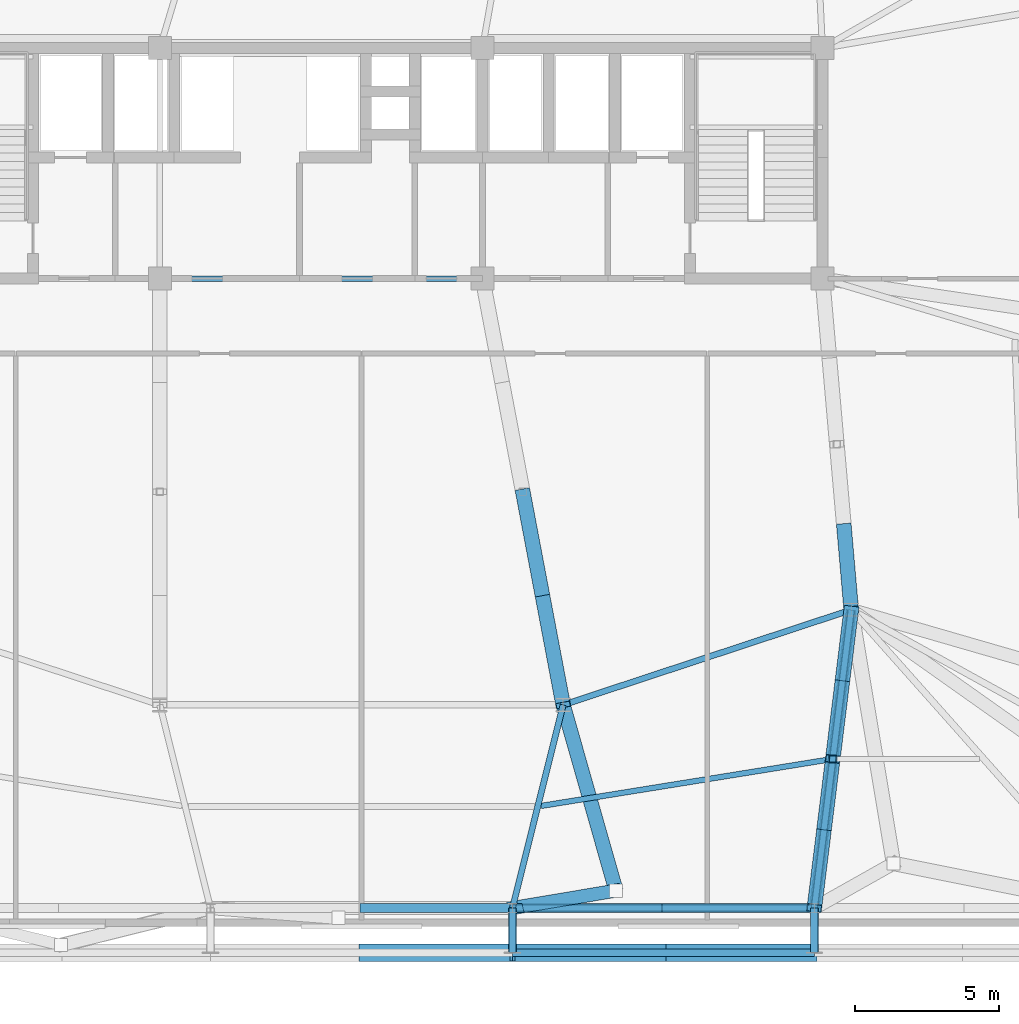
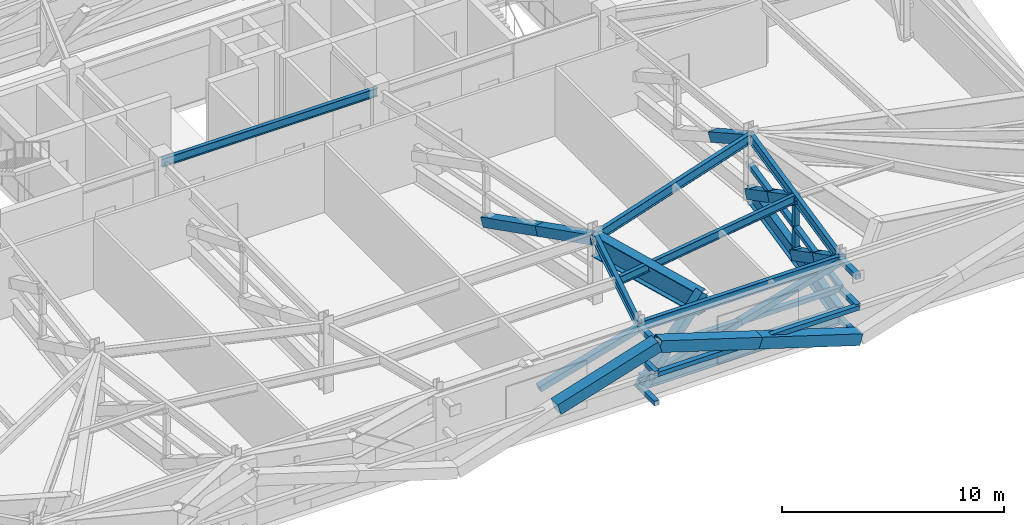
# One storey, part 8 of 24: 27 members, 7 beams.
"""IFC4 building model written with IfcOpenShell, lengths in metres."""

from ifc_helpers import new_model, si_unit, direction, frame, origin, origin_2d, place, context, subcontext, project, spatial, hollow_rectangle, i_section, extrude, source, transform, mapped, material, material_profile, profile_set, type_object, element, save


model = new_model("IFC4")

# Units and contexts
model_context = context("Model", 3, precision=1e-05, world=origin(), true_north=direction((0.0, 1.0)))
body_context = subcontext(model_context, "Body", "Model", "MODEL_VIEW")
ifc_project = project(units=[si_unit("LENGTHUNIT", "METRE"), si_unit("AREAUNIT", "SQUARE_METRE"), si_unit("VOLUMEUNIT", "CUBIC_METRE"), si_unit("PLANEANGLEUNIT", "RADIAN"), si_unit("MASSUNIT", "GRAM", prefix="KILO")], contexts=[model_context])

# Site, building, storey
site_placement = place(None, origin())
site = spatial("IfcSite", under=ifc_project, at=site_placement, CompositionType="ELEMENT")
building_placement = place(site_placement, origin())
building = spatial("IfcBuilding", under=site, at=building_placement, Name="Taldren Reach Tower", CompositionType="ELEMENT")
storey_placement = place(building_placement, frame((0.0, 0.0, 60.89990234375)))
storey = spatial("IfcBuildingStorey", under=building, at=storey_placement, Name="L18", CompositionType="ELEMENT", Elevation=60.89990234375)

# Beams
ifc_material_1 = material(Name="Steel Gr 350 (350PLUS)", Category="steel")
ifc_material_profile_1 = material_profile(ifc_material_1, i_section(OverallWidth=0.19091796875, OverallDepth=0.4599609375, WebThickness=0.010009765625, FlangeThickness=0.01611328125, at=origin_2d()), Name="460UB82.1")
ifc_profile_set_1 = profile_set([ifc_material_profile_1], Name="Steel Gr 350 (350PLUS)")
beam_type_1 = type_object("IfcBeamType", Name="BM-UB460A", PredefinedType="BEAM", material=ifc_profile_set_1)
shared_shape_1 = source(origin(), body_context, "Body", "SweptSolid", [
    extrude(i_section(OverallWidth=0.19091796875, OverallDepth=0.4599609375, WebThickness=0.010009765625, FlangeThickness=0.01611328125, at=origin_2d()), origin(), (0.0, 0.0, 1.0), 11.199951171875),
])
beam_1_placement = place(storey_placement, frame((28.0, 24.0, 3.550048828125), z_axis=(1.0, 0.0, 0.0), x_axis=(0.0, 1.0, 0.0)))
element("IfcBeam", 1, at=beam_1_placement, inside=storey, type_object=beam_type_1, Name="Core-spine girder L18-SP02", PredefinedType="BEAM", context=body_context, shape_type="MappedRepresentation", body=[
    mapped(shared_shape_1, transform((0.0, 0.0, 0.0), scale=1.0)),
])
ifc_material_profile_2 = material_profile(ifc_material_1, i_section(OverallWidth=0.208984375, OverallDepth=0.532958984375, WebThickness=0.01025390625, FlangeThickness=0.015625, at=origin_2d()), Name="530UB92.4")
ifc_profile_set_2 = profile_set([ifc_material_profile_2], Name="Steel Gr 350 (350PLUS)")
beam_type_2 = type_object("IfcBeamType", Name="BM-UB530A", PredefinedType="BEAM", material=ifc_profile_set_2)
shared_shape_2 = source(origin(), body_context, "Body", "SweptSolid", [
    extrude(i_section(OverallWidth=0.208984375, OverallDepth=0.532958984375, WebThickness=0.01025390625, FlangeThickness=0.015625, at=origin_2d()), origin(), (0.0, 0.0, 1.0), 10.530517578125),
])
beam_2_placement = place(storey_placement, frame((42.0, 9.199951171875, 3.513671875), z_axis=(0.949627269203, 0.313381635689, 0.0), x_axis=(-0.313381635689, 0.949627269203, 0.0)))
element("IfcBeam", 2, at=beam_2_placement, inside=storey, type_object=beam_type_2, Name="Core-spine girder L18-SP12", PredefinedType="BEAM", context=body_context, shape_type="MappedRepresentation", body=[
    mapped(shared_shape_2, transform((0.0, 0.0, 0.0), scale=1.0)),
])
ifc_material_profile_3 = material_profile(ifc_material_1, i_section(OverallWidth=0.208984375, OverallDepth=0.528076171875, WebThickness=0.009521484375, FlangeThickness=0.01318359375, at=origin_2d()), Name="530UB82.0")
ifc_profile_set_3 = profile_set([ifc_material_profile_3], Name="Steel Gr 350 (350PLUS)")
beam_type_3 = type_object("IfcBeamType", Name="SP-UB530B", PredefinedType="SPANDREL", material=ifc_profile_set_3)
shared_shape_3 = source(origin(), body_context, "Body", "SweptSolid", [
    extrude(i_section(OverallWidth=0.208984375, OverallDepth=0.528076171875, WebThickness=0.009521484375, FlangeThickness=0.01318359375, at=origin_2d()), origin(), (0.0, 0.0, 1.0), 10.47998046875),
])
beam_3_placement = place(storey_placement, frame((40.239990234375, 2.14990234375, 3.51611328125), z_axis=(1.0, 0.0, 0.0), x_axis=(0.0, 1.0, 0.0)))
element("IfcBeam", 3, at=beam_3_placement, inside=storey, type_object=beam_type_3, Name="Perimeter spandrel B1 S4-S5 L18", PredefinedType="SPANDREL", context=body_context, shape_type="MappedRepresentation", body=[
    mapped(shared_shape_3, transform((0.0, 0.0, 0.0), scale=1.0)),
])
shared_shape_4 = source(origin(), body_context, "Body", "SweptSolid", [
    extrude(i_section(OverallWidth=0.208984375, OverallDepth=0.532958984375, WebThickness=0.01025390625, FlangeThickness=0.015625, at=origin_2d()), origin(), (0.0, 0.0, 1.0), 10.428955078125),
])
beam_4_placement = place(storey_placement, frame((52.0, 12.5, 3.513671875), z_axis=(-0.122738080664, -0.992439098159, 0.0), x_axis=(0.992439098159, -0.122738080664, 0.0)))
element("IfcBeam", 4, at=beam_4_placement, inside=storey, type_object=beam_type_2, Name="Primary floor girder B1-S5 L18", PredefinedType="BEAM", context=body_context, shape_type="MappedRepresentation", body=[
    mapped(shared_shape_4, transform((0.0, 0.0, 0.0), scale=1.0)),
])
shared_shape_5 = source(origin(), body_context, "Body", "SweptSolid", [
    extrude(i_section(OverallWidth=0.208984375, OverallDepth=0.532958984375, WebThickness=0.01025390625, FlangeThickness=0.015625, at=origin_2d()), origin(), (0.0, 0.0, 1.0), 7.266357421875),
])
beam_5_placement = place(storey_placement, frame((42.0, 9.199951171875, 3.513671875), z_axis=(-0.24221148493, -0.970223477642, 0.0), x_axis=(0.970223477642, -0.24221148493, 0.0)))
element("IfcBeam", 5, at=beam_5_placement, inside=storey, type_object=beam_type_2, Name="Primary floor girder B1-S4 L18", PredefinedType="BEAM", context=body_context, shape_type="MappedRepresentation", body=[
    mapped(shared_shape_5, transform((0.0, 0.0, 0.0), scale=1.0)),
])
shared_shape_6 = source(origin(), body_context, "Body", "SweptSolid", [
    extrude(i_section(OverallWidth=0.19091796875, OverallDepth=0.4599609375, WebThickness=0.010009765625, FlangeThickness=0.01611328125, at=origin_2d()), origin(), (0.0, 0.0, 1.0), 10.1494140625),
])
beam_6_placement = place(storey_placement, frame((41.232177734375, 5.693115234375, 3.550048828125), z_axis=(0.987266967452, 0.159072106224, 0.0), x_axis=(-0.159072106224, 0.987266967452, 0.0)))
element("IfcBeam", 6, at=beam_6_placement, inside=storey, type_object=beam_type_1, Name="Secondary floor beam B1 J4 L18", PredefinedType="BEAM", context=body_context, shape_type="MappedRepresentation", body=[
    mapped(shared_shape_6, transform((0.0, 0.0, 0.0), scale=1.0)),
])

# Members
ifc_material_2 = material(Name="Steel Gr 450 (C450L0)", Category="steel")
ifc_material_profile_4 = material_profile(ifc_material_2, hollow_rectangle(XDim=0.27490234375, YDim=0.27490234375, WallThickness=0.00927734375, at=origin_2d()), Name="275x275x9.3SHS")
ifc_profile_set_4 = profile_set([ifc_material_profile_4], Name="Steel Gr 450 (C450L0)")
member_type_1 = type_object("IfcMemberType", Name="MB-TIE273", PredefinedType="STRUT", material=ifc_profile_set_4)
shared_shape_7 = source(origin(), body_context, "Body", "SweptSolid", [
    extrude(hollow_rectangle(XDim=0.27490234375, YDim=0.27490234375, WallThickness=0.00927734375, at=origin_2d()), origin(), (0.0, 0.0, 1.0), 1.5498046875),
])
for number, where, z_axis, x_axis, name in (
    (7, (40.239990234375, 2.14990234375, 3.5), (0.0, -1.0, 0.0), (1.0, 0.0, 0.0), "Exoskeleton diaphragm tie strut B1-S4 L18"),
    (8, (50.719970703125, 2.14990234375, 3.5), (0.0, -1.0, 0.0), (1.0, 0.0, 0.0), "Exoskeleton diaphragm tie strut B1-S5 L18"),
):
    element("IfcMember", number, at=place(storey_placement, frame(where, z_axis=z_axis, x_axis=x_axis)), inside=storey, type_object=member_type_1, Name=name, PredefinedType="STRUT", context=body_context, shape_type="MappedRepresentation", body=[
        mapped(shared_shape_7, transform((0.0, 0.0, 0.0), scale=1.0)),
    ])
ifc_material_3 = material(Name="Steel Gr 350 (C350L0)", Category="steel")
ifc_material_profile_5 = material_profile(ifc_material_3, hollow_rectangle(XDim=0.25, YDim=0.25, WallThickness=0.010009765625, at=origin_2d()), Name="250x250x10.0SHS")
ifc_profile_set_5 = profile_set([ifc_material_profile_5], Name="Steel Gr 350 (C350L0)")
member_type_2 = type_object("IfcMemberType", Name="MB-POST250", PredefinedType="POST", material=ifc_profile_set_5)
shared_shape_8 = source(origin(), body_context, "Body", "SweptSolid", [
    extrude(hollow_rectangle(XDim=0.25, YDim=0.25, WallThickness=0.010009765625, at=origin_2d()), origin(), (0.0, 0.0, 1.0), 10.47998046875),
])
for number, where, z_axis, x_axis, name in (
    (9, (40.239990234375, 2.14990234375, 1.955078125), (1.0, 0.0, 0.0), (0.0, 1.0, 0.0), "Belt Truss Transfer Mid Chord S4 L18"),
    (10, (40.239990234375, 0.60009765625, 1.860107421875), (1.0, 0.0, 0.0), (0.0, 1.0, 0.0), "Exoskeleton mid-height ring chord B1-S4 L18"),
):
    element("IfcMember", number, at=place(storey_placement, frame(where, z_axis=z_axis, x_axis=x_axis)), inside=storey, type_object=member_type_2, Name=name, PredefinedType="POST", context=body_context, shape_type="MappedRepresentation", body=[
        mapped(shared_shape_8, transform((0.0, 0.0, 0.0), scale=1.0)),
    ])
shared_shape_9 = source(origin(), body_context, "Body", "SweptSolid", [
    extrude(hollow_rectangle(XDim=0.25, YDim=0.25, WallThickness=0.010009765625, at=origin_2d()), origin(), (0.0, 0.0, 1.0), 1.5498046875),
])
for number, where, z_axis, x_axis, name in (
    (11, (40.239990234375, 2.14990234375, 0.22021484375), (0.0, -1.0, 0.0), (1.0, 0.0, 0.0), "Exoskeleton base diaphragm tie strut B1-S4 L18"),
    (12, (50.719970703125, 2.14990234375, 0.22021484375), (0.0, -1.0, 0.0), (1.0, 0.0, 0.0), "Exoskeleton base diaphragm tie strut B1-S5 L18"),
    (13, (40.239990234375, 2.14990234375, 1.860107421875), (0.0, -1.0, 0.0), (1.0, 0.0, 0.0), "Exoskeleton mid-tier diaphragm tie B1-S4 L18"),
    (14, (50.719970703125, 2.14990234375, 1.860107421875), (0.0, -1.0, 0.0), (1.0, 0.0, 0.0), "Exoskeleton mid-tier diaphragm tie B1-S5 L18"),
):
    element("IfcMember", number, at=place(storey_placement, frame(where, z_axis=z_axis, x_axis=x_axis)), inside=storey, type_object=member_type_2, Name=name, PredefinedType="POST", context=body_context, shape_type="MappedRepresentation", body=[
        mapped(shared_shape_9, transform((0.0, 0.0, 0.0), scale=1.0)),
    ])
ifc_material_profile_6 = material_profile(ifc_material_2, hollow_rectangle(XDim=0.4599609375, YDim=0.4599609375, WallThickness=0.01611328125, at=origin_2d()), Name="460x460x16.0SHS")
ifc_profile_set_6 = profile_set([ifc_material_profile_6], Name="Steel Gr 450 (C450L0)")
member_type_3 = type_object("IfcMemberType", Name="MB-EXO457", PredefinedType="BRACE", material=ifc_profile_set_6)
shared_shape_10 = source(origin(), body_context, "Body", "SweptSolid", [
    extrude(hollow_rectangle(XDim=0.4599609375, YDim=0.4599609375, WallThickness=0.01611328125, at=origin_2d()), origin(), (0.0, 0.0, 1.0), 5.2373046875),
])
member_1_placement = place(storey_placement, frame((40.239990234375, 2.14990234375, 0.02001953125), z_axis=(0.686503671518, 0.115326277133, 0.71792239051), x_axis=(-0.16566936035, 0.986181354032, 0.0)))
element("IfcMember", 15, at=member_1_placement, inside=storey, type_object=member_type_3, Name="Outrigger Belt Truss Transfer Strut TS-B2-S4 L18", PredefinedType="BRACE", context=body_context, shape_type="MappedRepresentation", body=[
    mapped(shared_shape_10, transform((0.0, 0.0, 0.0), scale=1.0)),
])

# Beam
ifc_material_profile_7 = material_profile(ifc_material_1, i_section(OverallWidth=0.5, OverallDepth=1.199951171875, WebThickness=0.01611328125, FlangeThickness=0.0400390625, at=origin_2d()), Name="1200WB455")
ifc_profile_set_7 = profile_set([ifc_material_profile_7], Name="Steel Gr 350 (350PLUS)")
beam_type_4 = type_object("IfcBeamType", Name="BM-WB1200", PredefinedType="BEAM", material=ifc_profile_set_7)
shared_shape_11 = source(origin(), body_context, "Body", "SweptSolid", [
    extrude(i_section(OverallWidth=0.5, OverallDepth=1.199951171875, WebThickness=0.01611328125, FlangeThickness=0.0400390625, at=origin_2d()), origin(), (0.0, 0.0, 1.0), 6.7021484375),
])
beam_7_placement = place(storey_placement, frame((42.0, 9.199951171875, 3.18017578125), z_axis=(0.273855026091, -0.961770983491, 0.0), x_axis=(0.961770983491, 0.273855026091, 0.0)))
element("IfcBeam", 16, at=beam_7_placement, inside=storey, type_object=beam_type_4, Name="Belt Truss Transfer Girder TG-B2-S4A on L18", PredefinedType="BEAM", context=body_context, shape_type="MappedRepresentation", body=[
    mapped(shared_shape_11, transform((0.0, 0.0, 0.0), scale=1.0)),
])

# Members
shared_shape_12 = source(origin(), body_context, "Body", "SweptSolid", [
    extrude(hollow_rectangle(XDim=0.25, YDim=0.25, WallThickness=0.010009765625, at=origin_2d()), origin(), (0.0, 0.0, 1.0), 1.5048828125),
])
member_2_placement = place(storey_placement, frame((51.360107421875, 7.324951171875, 0.4501953125), z_axis=(0.0, 0.0, 1.0), x_axis=(1.0, 0.0, 0.0)))
element("IfcMember", 17, at=member_2_placement, inside=storey, type_object=member_type_2, Name="Outrigger Transfer Truss Vertical Post OT-E2 L18", PredefinedType="POST", context=body_context, shape_type="MappedRepresentation", body=[
    mapped(shared_shape_12, transform((0.0, 0.0, 0.0), scale=1.0)),
])
shared_shape_13 = source(origin(), body_context, "Body", "SweptSolid", [
    extrude(hollow_rectangle(XDim=0.25, YDim=0.25, WallThickness=0.010009765625, at=origin_2d()), origin(), (0.0, 0.0, 1.0), 1.505126953125),
])
member_3_placement = place(storey_placement, frame((51.360107421875, 7.324951171875, 1.955078125), z_axis=(0.0, 0.0, 1.0), x_axis=(1.0, 0.0, 0.0)))
element("IfcMember", 18, at=member_3_placement, inside=storey, type_object=member_type_2, Name="Outrigger Transfer Truss Vertical Post OT-E2 L18", PredefinedType="POST", context=body_context, shape_type="MappedRepresentation", body=[
    mapped(shared_shape_13, transform((0.0, 0.0, 0.0), scale=1.0)),
])
ifc_material_profile_8 = material_profile(ifc_material_2, hollow_rectangle(XDim=0.510009765625, YDim=0.510009765625, WallThickness=0.02001953125, at=origin_2d()), Name="510x510x20.0SHS")
ifc_profile_set_8 = profile_set([ifc_material_profile_8], Name="Steel Gr 450 (C450L0)")
member_type_4 = type_object("IfcMemberType", Name="MB-EXO508", PredefinedType="BRACE", material=ifc_profile_set_8)
shared_shape_14 = source(origin(), body_context, "Body", "SweptSolid", [
    extrude(hollow_rectangle(XDim=0.510009765625, YDim=0.510009765625, WallThickness=0.02001953125, at=origin_2d()), origin(), (0.0, 0.0, 1.0), 3.2548828125),
])
member_4_placement = place(storey_placement, frame((51.75, 15.375, 1.955078125), z_axis=(0.076810327051, -0.883318761082, 0.462437174089), x_axis=(0.996240588196, 0.086629616365, 0.0)))
element("IfcMember", 19, at=member_4_placement, inside=storey, type_object=member_type_4, Name="Outrigger Transfer Truss Diagonal OT-E1B L18", PredefinedType="BRACE", context=body_context, shape_type="MappedRepresentation", body=[
    mapped(shared_shape_14, transform((0.0, 0.0, 0.0), scale=1.0)),
])
ifc_material_profile_9 = material_profile(ifc_material_1, i_section(OverallWidth=0.35009765625, OverallDepth=0.916015625, WebThickness=0.013916015625, FlangeThickness=0.028076171875, at=origin_2d()), Name="900WB257")
ifc_profile_set_9 = profile_set([ifc_material_profile_9], Name="Steel Gr 350 (350PLUS)")
member_type_5 = type_object("IfcMemberType", Name="MB-CH900", PredefinedType="CHORD", material=ifc_profile_set_9)
shared_shape_15 = source(origin(), body_context, "Body", "SweptSolid", [
    extrude(i_section(OverallWidth=0.35009765625, OverallDepth=0.916015625, WebThickness=0.013916015625, FlangeThickness=0.028076171875, at=origin_2d()), origin(), (0.0, 0.0, 1.0), 10.428955078125),
])
member_5_placement = place(storey_placement, frame((52.0, 12.5, 0.4501953125), z_axis=(-0.122738080664, -0.992439098159, 0.0), x_axis=(0.992439098159, -0.122738080664, 0.0)))
element("IfcMember", 20, at=member_5_placement, inside=storey, type_object=member_type_5, Name="Outrigger Transfer Truss Bottom Chord OT-E2 L18", PredefinedType="CHORD", context=body_context, shape_type="MappedRepresentation", body=[
    mapped(shared_shape_15, transform((0.0, 0.0, 0.0), scale=1.0)),
])
shared_shape_16 = source(origin(), body_context, "Body", "SweptSolid", [
    extrude(hollow_rectangle(XDim=0.25, YDim=0.25, WallThickness=0.010009765625, at=origin_2d()), origin(), (0.0, 0.0, 1.0), 10.428955078125),
])
member_6_placement = place(storey_placement, frame((52.0, 12.5, 1.955078125), z_axis=(-0.122738080664, -0.992439098159, 0.0), x_axis=(0.992439098159, -0.122738080664, 0.0)))
element("IfcMember", 21, at=member_6_placement, inside=storey, type_object=member_type_2, Name="Outrigger Transfer Truss Mid Chord OT-E2 L18", PredefinedType="POST", context=body_context, shape_type="MappedRepresentation", body=[
    mapped(shared_shape_16, transform((0.0, 0.0, 0.0), scale=1.0)),
])
shared_shape_17 = source(origin(), body_context, "Body", "SweptSolid", [
    extrude(hollow_rectangle(XDim=0.510009765625, YDim=0.510009765625, WallThickness=0.02001953125, at=origin_2d()), origin(), (0.0, 0.0, 1.0), 3.01025390625),
])
for number, where, z_axis, x_axis, name in (
    (22, (52.0, 12.5, 0.4501953125), (-0.106325222442, -0.859523041522, 0.499915080953), (0.992435540703, -0.122766842221, 0.0), "Outrigger Transfer Truss Diagonal OT-E2A L18"),
    (23, (51.360107421875, 7.324951171875, 0.4501953125), (-0.106325222442, -0.859523041522, 0.499915080953), (0.992435540703, -0.122766842221, 0.0), "Outrigger Transfer Truss Diagonal OT-E2B L18"),
):
    element("IfcMember", number, at=place(storey_placement, frame(where, z_axis=z_axis, x_axis=x_axis)), inside=storey, type_object=member_type_4, Name=name, PredefinedType="BRACE", context=body_context, shape_type="MappedRepresentation", body=[
        mapped(shared_shape_17, transform((0.0, 0.0, 0.0), scale=1.0)),
    ])
shared_shape_18 = source(origin(), body_context, "Body", "SweptSolid", [
    extrude(hollow_rectangle(XDim=0.510009765625, YDim=0.510009765625, WallThickness=0.02001953125, at=origin_2d()), origin(), (0.0, 0.0, 1.0), 3.010498046875),
])
for number, where, z_axis, x_axis, name in (
    (24, (51.679931640625, 9.91259765625, 1.955078125), (-0.106233323021, -0.859516786793, 0.499945371316), (0.992448354991, -0.122663208325, 0.0), "Outrigger Transfer Truss Diagonal OT-E2A L18"),
    (25, (51.0400390625, 4.737548828125, 1.955078125), (-0.106313500935, -0.859509379412, 0.499941062749), (0.992436951876, -0.1227554339, 0.0), "Outrigger Transfer Truss Diagonal OT-E2B L18"),
):
    element("IfcMember", number, at=place(storey_placement, frame(where, z_axis=z_axis, x_axis=x_axis)), inside=storey, type_object=member_type_4, Name=name, PredefinedType="BRACE", context=body_context, shape_type="MappedRepresentation", body=[
        mapped(shared_shape_18, transform((0.0, 0.0, 0.0), scale=1.0)),
    ])
shared_shape_19 = source(origin(), body_context, "Body", "SweptSolid", [
    extrude(hollow_rectangle(XDim=0.510009765625, YDim=0.510009765625, WallThickness=0.02001953125, at=origin_2d()), origin(), (0.0, 0.0, 1.0), 4.05517578125),
])
member_7_placement = place(storey_placement, frame((41.300048828125, 12.89990234375, 1.955078125), z_axis=(0.172604098422, -0.912387552001, 0.371156005153), x_axis=(0.982572166, 0.185881517646, 0.0)))
element("IfcMember", 26, at=member_7_placement, inside=storey, type_object=member_type_4, Name="Outrigger Transfer Truss Diagonal OT-M2B L18", PredefinedType="BRACE", context=body_context, shape_type="MappedRepresentation", body=[
    mapped(shared_shape_19, transform((0.0, 0.0, 0.0), scale=1.0)),
])
shared_shape_20 = source(origin(), body_context, "Body", "SweptSolid", [
    extrude(hollow_rectangle(XDim=0.510009765625, YDim=0.510009765625, WallThickness=0.02001953125, at=origin_2d()), origin(), (0.0, 0.0, 1.0), 4.055419921875),
])
member_8_placement = place(storey_placement, frame((40.60009765625, 16.60009765625, 0.4501953125), z_axis=(0.172598473912, -0.912418022537, 0.371083708823), x_axis=(0.982574405956, 0.185869676819, 0.0)))
element("IfcMember", 27, at=member_8_placement, inside=storey, type_object=member_type_4, Name="Outrigger Transfer Truss Diagonal OT-M2B L18", PredefinedType="BRACE", context=body_context, shape_type="MappedRepresentation", body=[
    mapped(shared_shape_20, transform((0.0, 0.0, 0.0), scale=1.0)),
])
ifc_material_profile_10 = material_profile(ifc_material_1, i_section(OverallWidth=0.300048828125, OverallDepth=0.81591796875, WebThickness=0.011962890625, FlangeThickness=0.02392578125, at=origin_2d()), Name="800WB192")
ifc_profile_set_10 = profile_set([ifc_material_profile_10], Name="Steel Gr 350 (350PLUS)")
member_type_6 = type_object("IfcMemberType", Name="MB-CH800", PredefinedType="CHORD", material=ifc_profile_set_10)
shared_shape_21 = source(origin(), body_context, "Body", "SweptSolid", [
    extrude(i_section(OverallWidth=0.300048828125, OverallDepth=0.81591796875, WebThickness=0.011962890625, FlangeThickness=0.02392578125, at=origin_2d()), origin(), (0.0, 0.0, 1.0), 10.47998046875),
])
member_9_placement = place(storey_placement, frame((40.239990234375, 2.14990234375, 0.4501953125), z_axis=(1.0, 0.0, 0.0), x_axis=(0.0, 1.0, 0.0)))
element("IfcMember", 28, at=member_9_placement, inside=storey, type_object=member_type_6, Name="Belt Truss Transfer Bottom Chord S4 L18", PredefinedType="CHORD", context=body_context, shape_type="MappedRepresentation", body=[
    mapped(shared_shape_21, transform((0.0, 0.0, 0.0), scale=1.0)),
])
ifc_material_profile_11 = material_profile(ifc_material_2, hollow_rectangle(XDim=0.324951171875, YDim=0.324951171875, WallThickness=0.0126953125, at=origin_2d()), Name="325x325x12.7SHS")
ifc_profile_set_11 = profile_set([ifc_material_profile_11], Name="Steel Gr 450 (C450L0)")
member_type_7 = type_object("IfcMemberType", Name="MB-BR324", PredefinedType="BRACE", material=ifc_profile_set_11)
shared_shape_22 = source(origin(), body_context, "Body", "SweptSolid", [
    extrude(hollow_rectangle(XDim=0.324951171875, YDim=0.324951171875, WallThickness=0.0126953125, at=origin_2d()), origin(), (0.0, 0.0, 1.0), 5.451904296875),
])
for number, where, z_axis, x_axis, name in (
    (29, (35.0, 2.14990234375, 1.955078125), (0.961136017712, 0.0, 0.27607527136), (0.0, 1.0, 0.0), "Belt Truss Transfer Diagonal S3 L18"),
    (30, (40.239990234375, 2.14990234375, 0.4501953125), (0.96114789944, 0.0, 0.27603390263), (0.0, 1.0, 0.0), "Belt Truss Transfer Diagonal S4 L18"),
    (31, (45.47998046875, 2.14990234375, 1.955078125), (0.961136017712, 0.0, 0.27607527136), (0.0, 1.0, 0.0), "Belt Truss Transfer Diagonal S4 L18"),
):
    element("IfcMember", number, at=place(storey_placement, frame(where, z_axis=z_axis, x_axis=x_axis)), inside=storey, type_object=member_type_7, Name=name, PredefinedType="BRACE", context=body_context, shape_type="MappedRepresentation", body=[
        mapped(shared_shape_22, transform((0.0, 0.0, 0.0), scale=1.0)),
    ])
ifc_material_profile_12 = material_profile(ifc_material_2, hollow_rectangle(XDim=0.614990234375, YDim=0.614990234375, WallThickness=0.02490234375, at=origin_2d()), Name="615x615x25.0SHS")
ifc_profile_set_12 = profile_set([ifc_material_profile_12], Name="Steel Gr 450 (C450L0)")
member_type_8 = type_object("IfcMemberType", Name="MB-EXO610", PredefinedType="BRACE", material=ifc_profile_set_12)
shared_shape_23 = source(origin(), body_context, "Body", "SweptSolid", [
    extrude(hollow_rectangle(XDim=0.614990234375, YDim=0.614990234375, WallThickness=0.02490234375, at=origin_2d()), origin(), (0.0, 0.0, 1.0), 5.49072265625),
])
for number, where, z_axis, x_axis, name in (
    (32, (35.0, 0.60009765625, 1.860107421875), (0.954355677655, 0.0, 0.298672463626), (0.0, 1.0, 0.0), "Exoskeleton Diagrid Brace B1-S3 L18"),
    (33, (50.719970703125, 0.60009765625, 0.22021484375), (-0.954355677655, 0.0, 0.298672463626), (0.0, -1.0, 0.0), "Exoskeleton Diagrid Brace B1-S4 L18"),
    (34, (45.47998046875, 0.60009765625, 1.860107421875), (-0.954355677655, 0.0, 0.298672463626), (0.0, -1.0, 0.0), "Exoskeleton Diagrid Brace B1-S4 L18"),
):
    element("IfcMember", number, at=place(storey_placement, frame(where, z_axis=z_axis, x_axis=x_axis)), inside=storey, type_object=member_type_8, Name=name, PredefinedType="BRACE", context=body_context, shape_type="MappedRepresentation", body=[
        mapped(shared_shape_23, transform((0.0, 0.0, 0.0), scale=1.0)),
    ])

save(model, "model.ifc")
